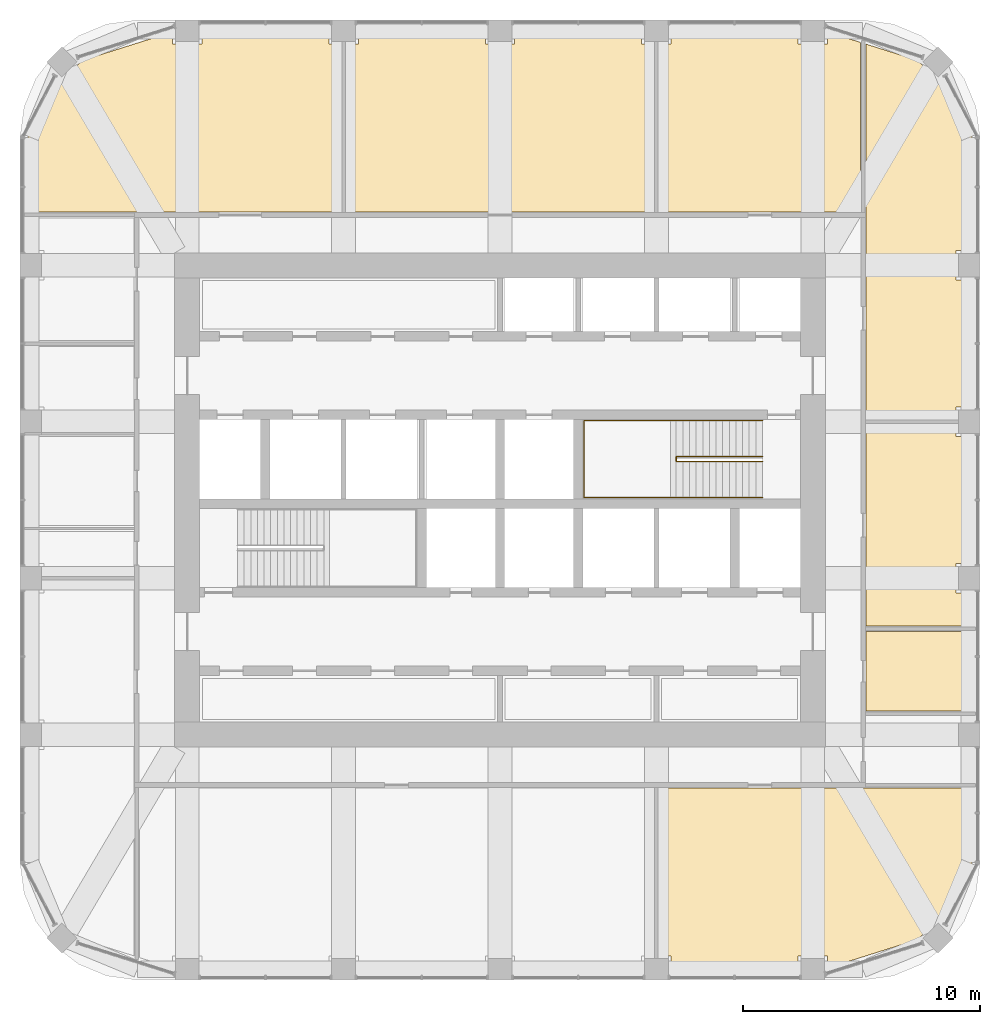
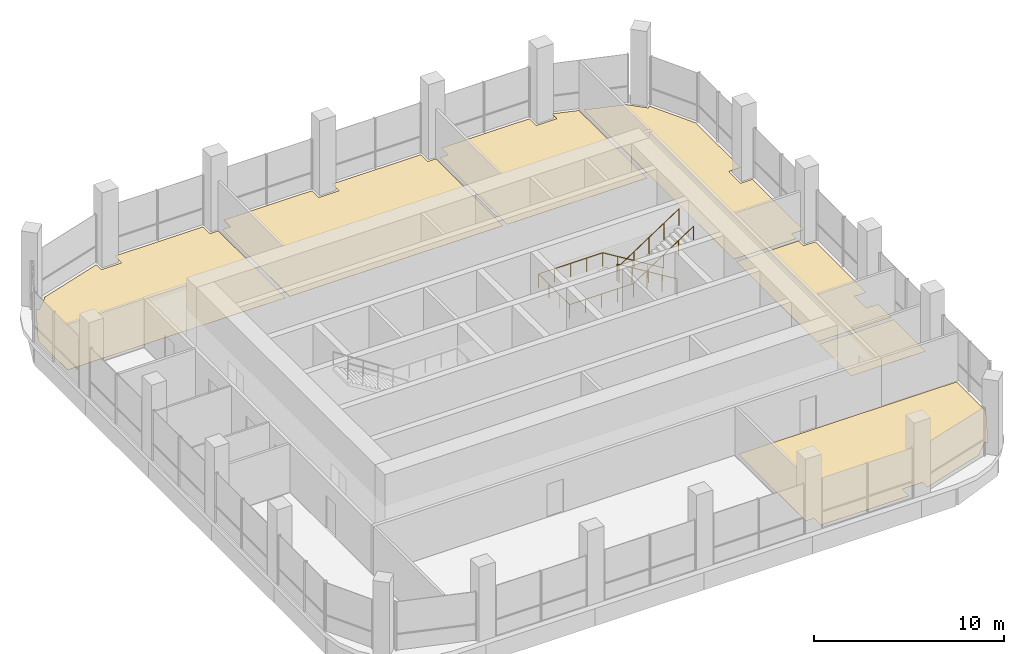
# One storey, part 13 of 13: 7 coverings, 2 railings.
"""IFC4 building model written with IfcOpenShell, lengths in metres."""

from ifc_helpers import new_model, si_unit, direction, frame, origin, place, context, subcontext, project, spatial, polyline, outline, extrude, material, layer, layer_set, type_object, element, save


model = new_model("IFC4")

# Units and contexts
model_context = context("Model", 3, precision=1e-05, world=origin(), true_north=direction((0.0, 1.0)))
body_context = subcontext(model_context, "Body", "Model", "MODEL_VIEW")
ifc_project = project(units=[si_unit("LENGTHUNIT", "METRE"), si_unit("AREAUNIT", "SQUARE_METRE"), si_unit("VOLUMEUNIT", "CUBIC_METRE"), si_unit("PLANEANGLEUNIT", "RADIAN"), si_unit("MASSUNIT", "GRAM", prefix="KILO")], contexts=[model_context])

# Site, building, storey
site_placement = place(None, origin())
site = spatial("IfcSite", under=ifc_project, at=site_placement, CompositionType="ELEMENT")
building_placement = place(site_placement, origin())
building = spatial("IfcBuilding", under=site, at=building_placement, Name="Cobogo Forest Laboratory Tower", CompositionType="ELEMENT")
storey_placement = place(building_placement, frame((0.0, 0.0, 288.0)))
storey = spatial("IfcBuildingStorey", under=building, at=storey_placement, Name="L66", CompositionType="ELEMENT", Elevation=288.0)

# Coverings
ifc_material_1 = material(Name="Carpet tile on raised access floor", Category="flooring")
ifc_layer_1 = layer(ifc_material_1, 0.008056640625)
ifc_layer_set_1 = layer_set([ifc_layer_1], Name="CT1 carpet tile floor 8")
covering_type_1 = type_object("IfcCoveringType", Name="CT1 carpet tile floor 8", PredefinedType="FLOORING", material=ifc_layer_set_1)
covering_1_placement = place(storey_placement, origin())
element("IfcCovering", 1, at=covering_1_placement, inside=storey, type_object=covering_type_1, Name="Carpet floor L66-02", PredefinedType="FLOORING", context=body_context, shape_type="SweptSolid", body=[
    extrude(outline(polyline([(44.10986328125, 4.583984375), (40.219970703125, 3.35546875), (40.219970703125, 3.8701171875), (38.97998046875, 3.8701171875), (38.97998046875, 3.14990234375), (33.6201171875, 3.14990234375), (33.6201171875, 3.8701171875), (33.1201171875, 3.8701171875), (33.1201171875, 10.955078125), (46.35009765625, 10.955078125), (46.35009765625, 7.84912109375), (45.010986328125, 5.294921875), (44.882080078125, 5.424072265625), (44.075927734375, 4.617919921875), (44.10986328125, 4.583984375)])), origin(), (0.0, 0.0, 1.0), 0.008056640625),
])
covering_2_placement = place(storey_placement, origin())
element("IfcCovering", 2, at=covering_2_placement, inside=storey, type_object=covering_type_1, Name="Carpet floor L66-05", PredefinedType="FLOORING", context=body_context, shape_type="SweptSolid", body=[
    extrude(outline(polyline([(41.844970703125, 26.280029296875), (45.6298828125, 26.280029296875), (45.6298828125, 25.780029296875), (46.35009765625, 25.780029296875), (46.35009765625, 20.419921875), (45.6298828125, 20.419921875), (45.6298828125, 19.179931640625), (46.35009765625, 19.179931640625), (46.35009765625, 17.794921875), (41.844970703125, 17.794921875), (41.844970703125, 26.280029296875)])), origin(), (0.0, 0.0, 1.0), 0.008056640625),
])
covering_3_placement = place(storey_placement, origin())
element("IfcCovering", 3, at=covering_3_placement, inside=storey, type_object=covering_type_1, Name="Carpet floor L66-07", PredefinedType="FLOORING", context=body_context, shape_type="SweptSolid", body=[
    extrude(outline(polyline([(6.449951171875, 35.2451171875), (6.449951171875, 38.350830078125), (7.788818359375, 40.905029296875), (7.91796875, 40.77587890625), (8.72412109375, 41.58203125), (8.68994140625, 41.615966796875), (12.580078125, 42.844482421875), (12.580078125, 42.330078125), (13.820068359375, 42.330078125), (13.820068359375, 43.050048828125), (19.179931640625, 43.050048828125), (19.179931640625, 42.330078125), (19.679931640625, 42.330078125), (19.679931640625, 35.2451171875), (6.449951171875, 35.2451171875)])), origin(), (0.0, 0.0, 1.0), 0.008056640625),
])
covering_4_placement = place(storey_placement, origin())
element("IfcCovering", 4, at=covering_4_placement, inside=storey, type_object=covering_type_1, Name="Carpet floor L66-09", PredefinedType="FLOORING", context=body_context, shape_type="SweptSolid", body=[
    extrude(outline(polyline([(33.1201171875, 35.2451171875), (33.1201171875, 42.330078125), (33.6201171875, 42.330078125), (33.6201171875, 43.050048828125), (38.97998046875, 43.050048828125), (38.97998046875, 42.330078125), (40.219970703125, 42.330078125), (40.219970703125, 42.844482421875), (41.60498046875, 42.406982421875), (41.60498046875, 35.2451171875), (33.1201171875, 35.2451171875)])), origin(), (0.0, 0.0, 1.0), 0.008056640625),
])

# Railings
ifc_material_2 = material(Name="Steel balustrade", Category="steel")
railing_type_1 = type_object("IfcRailingType", Name="GR stair guard 1100", PredefinedType="GUARDRAIL", material=ifc_material_2)
railing_1_placement = place(storey_placement, frame((37.47509765625, 24.929931640625, 0.17138671875)))
element("IfcRailing", 5, at=railing_1_placement, inside=storey, type_object=railing_type_1, Name="Stair guard ST2 L66", PredefinedType="GUARDRAIL", context=body_context, shape_type="SweptSolid", body=[
    extrude(outline(polyline([(0.022216796875, 0.00927734375), (0.00927734375, 0.022216796875), (-0.00927734375, 0.022216796875), (-0.022216796875, 0.00927734375), (-0.022216796875, -0.00927734375), (-0.00927734375, -0.022216796875), (0.00927734375, -0.022216796875), (0.022216796875, -0.00927734375), (0.022216796875, 0.00927734375)])), frame((0.0, 0.0, 1.077880859375), z_axis=(-0.852865859571, 0.0, 0.52213008492), x_axis=(0.0, -1.0, 0.0)), (0.0, 0.0, 1.0), 4.26806640625),
    extrude(outline(polyline([(0.022216796875, 0.00927734375), (0.00927734375, 0.022216796875), (-0.00927734375, 0.022216796875), (-0.022216796875, 0.00927734375), (-0.022216796875, -0.00927734375), (-0.00927734375, -0.022216796875), (0.00927734375, -0.022216796875), (0.022216796875, -0.00927734375), (0.022216796875, 0.00927734375)])), frame((-3.64013671875, 0.0, 3.306396484375), z_axis=(0.0, -1.0, 0.0), x_axis=(1.0, 0.0, 0.0)), (0.0, 0.0, 1.0), 0.2099609375),
    extrude(outline(polyline([(0.022216796875, 0.00927734375), (0.00927734375, 0.022216796875), (-0.00927734375, 0.022216796875), (-0.022216796875, 0.00927734375), (-0.022216796875, -0.00927734375), (-0.00927734375, -0.022216796875), (0.00927734375, -0.022216796875), (0.022216796875, -0.00927734375), (0.022216796875, 0.00927734375)])), frame((-3.64013671875, -0.2099609375, 3.306396484375), z_axis=(0.834856447115, 0.0, 0.55046772177), x_axis=(0.0, 1.0, 0.0)), (0.0, 0.0, 1.0), 4.360107421875),
    extrude(outline(polyline([(0.019287109375, 0.008056640625), (0.008056640625, 0.019287109375), (-0.008056640625, 0.019287109375), (-0.019287109375, 0.008056640625), (-0.019287109375, -0.008056640625), (-0.008056640625, -0.019287109375), (0.008056640625, -0.019287109375), (0.019287109375, -0.008056640625), (0.019287109375, 0.008056640625)])), origin(), (0.0, 0.0, 1.0), 1.077880859375),
    extrude(outline(polyline([(0.019287109375, 0.008056640625), (0.008056640625, 0.019287109375), (-0.008056640625, 0.019287109375), (-0.019287109375, 0.008056640625), (-0.019287109375, -0.008056640625), (-0.008056640625, -0.019287109375), (0.008056640625, -0.019287109375), (0.019287109375, -0.008056640625), (0.019287109375, 0.008056640625)])), frame((-0.91015625, 0.0, 0.55712890625)), (0.0, 0.0, 1.0), 1.077880859375),
    extrude(outline(polyline([(0.019287109375, 0.008056640625), (0.008056640625, 0.019287109375), (-0.008056640625, 0.019287109375), (-0.019287109375, 0.008056640625), (-0.019287109375, -0.008056640625), (-0.008056640625, -0.019287109375), (0.008056640625, -0.019287109375), (0.019287109375, -0.008056640625), (0.019287109375, 0.008056640625)])), frame((-1.820068359375, 0.0, 1.1142578125)), (0.0, 0.0, 1.0), 1.077880859375),
    extrude(outline(polyline([(0.019287109375, 0.008056640625), (0.008056640625, 0.019287109375), (-0.008056640625, 0.019287109375), (-0.019287109375, 0.008056640625), (-0.019287109375, -0.008056640625), (-0.008056640625, -0.019287109375), (0.008056640625, -0.019287109375), (0.019287109375, -0.008056640625), (0.019287109375, 0.008056640625)])), frame((-2.72998046875, 0.0, 1.67138671875)), (0.0, 0.0, 1.0), 1.077880859375),
    extrude(outline(polyline([(0.019287109375, 0.008056640625), (0.008056640625, 0.019287109375), (-0.008056640625, 0.019287109375), (-0.019287109375, 0.008056640625), (-0.019287109375, -0.008056640625), (-0.008056640625, -0.019287109375), (0.008056640625, -0.019287109375), (0.019287109375, -0.008056640625), (0.019287109375, 0.008056640625)])), frame((-3.64013671875, 0.0, 2.228515625)), (0.0, 0.0, 1.0), 1.077880859375),
    extrude(outline(polyline([(0.019287109375, 0.008056640625), (0.008056640625, 0.019287109375), (-0.008056640625, 0.019287109375), (-0.019287109375, 0.008056640625), (-0.019287109375, -0.008056640625), (-0.008056640625, -0.019287109375), (0.008056640625, -0.019287109375), (0.019287109375, -0.008056640625), (0.019287109375, 0.008056640625)])), frame((-3.64013671875, -0.2099609375, 2.228515625)), (0.0, 0.0, 1.0), 1.077880859375),
    extrude(outline(polyline([(0.019287109375, 0.008056640625), (0.008056640625, 0.019287109375), (-0.008056640625, 0.019287109375), (-0.019287109375, 0.008056640625), (-0.019287109375, -0.008056640625), (-0.008056640625, -0.019287109375), (0.008056640625, -0.019287109375), (0.019287109375, -0.008056640625), (0.019287109375, 0.008056640625)])), frame((-2.72998046875, -0.2099609375, 2.82861328125)), (0.0, 0.0, 1.0), 1.077880859375),
    extrude(outline(polyline([(0.019287109375, 0.008056640625), (0.008056640625, 0.019287109375), (-0.008056640625, 0.019287109375), (-0.019287109375, 0.008056640625), (-0.019287109375, -0.008056640625), (-0.008056640625, -0.019287109375), (0.008056640625, -0.019287109375), (0.019287109375, -0.008056640625), (0.019287109375, 0.008056640625)])), frame((-1.820068359375, -0.2099609375, 3.4287109375)), (0.0, 0.0, 1.0), 1.077880859375),
    extrude(outline(polyline([(0.019287109375, 0.008056640625), (0.008056640625, 0.019287109375), (-0.008056640625, 0.019287109375), (-0.019287109375, 0.008056640625), (-0.019287109375, -0.008056640625), (-0.008056640625, -0.019287109375), (0.008056640625, -0.019287109375), (0.019287109375, -0.008056640625), (0.019287109375, 0.008056640625)])), frame((-0.91015625, -0.2099609375, 4.028564453125)), (0.0, 0.0, 1.0), 1.077880859375),
    extrude(outline(polyline([(0.019287109375, 0.008056640625), (0.008056640625, 0.019287109375), (-0.008056640625, 0.019287109375), (-0.019287109375, 0.008056640625), (-0.019287109375, -0.008056640625), (-0.008056640625, -0.019287109375), (0.008056640625, -0.019287109375), (0.019287109375, -0.008056640625), (0.019287109375, 0.008056640625)])), frame((0.0, -0.2099609375, 4.628662109375)), (0.0, 0.0, 1.0), 1.077880859375),
])
ifc_material_3 = material(Name="Stainless steel handrail", Category="steel")
railing_type_2 = type_object("IfcRailingType", Name="HR handrail 900", PredefinedType="HANDRAIL", material=ifc_material_3)
railing_2_placement = place(storey_placement, frame((37.47509765625, 26.449951171875, 0.17138671875)))
element("IfcRailing", 6, at=railing_2_placement, inside=storey, type_object=railing_type_2, Name="Stair handrail ST2 L66", PredefinedType="HANDRAIL", context=body_context, shape_type="SweptSolid", body=[
    extrude(outline(polyline([(0.022216796875, 0.00927734375), (0.00927734375, 0.022216796875), (-0.00927734375, 0.022216796875), (-0.022216796875, 0.00927734375), (-0.022216796875, -0.00927734375), (-0.00927734375, -0.022216796875), (0.00927734375, -0.022216796875), (0.022216796875, -0.00927734375), (0.022216796875, 0.00927734375)])), frame((0.0, 0.0, 0.877685546875), z_axis=(-0.852865859571, 0.0, 0.52213008492), x_axis=(0.0, -1.0, 0.0)), (0.0, 0.0, 1.0), 4.26806640625),
    extrude(outline(polyline([(0.022216796875, 0.00927734375), (0.00927734375, 0.022216796875), (-0.00927734375, 0.022216796875), (-0.022216796875, 0.00927734375), (-0.022216796875, -0.00927734375), (-0.00927734375, -0.022216796875), (0.00927734375, -0.022216796875), (0.022216796875, -0.00927734375), (0.022216796875, 0.00927734375)])), frame((-3.64013671875, 0.0, 3.106201171875), z_axis=(-1.0, 0.0, 0.0), x_axis=(0.0, -1.0, 0.0)), (0.0, 0.0, 1.0), 3.885009765625),
    extrude(outline(polyline([(0.022216796875, 0.00927734375), (0.00927734375, 0.022216796875), (-0.00927734375, 0.022216796875), (-0.022216796875, 0.00927734375), (-0.022216796875, -0.00927734375), (-0.00927734375, -0.022216796875), (0.00927734375, -0.022216796875), (0.022216796875, -0.00927734375), (0.022216796875, 0.00927734375)])), frame((-7.525146484375, 0.0, 3.106201171875), z_axis=(0.0, -1.0, 0.0), x_axis=(1.0, 0.0, 0.0)), (0.0, 0.0, 1.0), 3.25),
    extrude(outline(polyline([(0.022216796875, 0.00927734375), (0.00927734375, 0.022216796875), (-0.00927734375, 0.022216796875), (-0.022216796875, 0.00927734375), (-0.022216796875, -0.00927734375), (-0.00927734375, -0.022216796875), (0.00927734375, -0.022216796875), (0.022216796875, -0.00927734375), (0.022216796875, 0.00927734375)])), frame((-7.525146484375, -3.25, 3.106201171875), z_axis=(1.0, 0.0, 0.0), x_axis=(0.0, 1.0, 0.0)), (0.0, 0.0, 1.0), 3.885009765625),
    extrude(outline(polyline([(0.022216796875, 0.00927734375), (0.00927734375, 0.022216796875), (-0.00927734375, 0.022216796875), (-0.022216796875, 0.00927734375), (-0.022216796875, -0.00927734375), (-0.00927734375, -0.022216796875), (0.00927734375, -0.022216796875), (0.022216796875, -0.00927734375), (0.022216796875, 0.00927734375)])), frame((-3.64013671875, -3.25, 3.106201171875), z_axis=(0.834856447115, 0.0, 0.55046772177), x_axis=(0.0, 1.0, 0.0)), (0.0, 0.0, 1.0), 4.360107421875),
    extrude(outline(polyline([(0.019287109375, 0.008056640625), (0.008056640625, 0.019287109375), (-0.008056640625, 0.019287109375), (-0.019287109375, 0.008056640625), (-0.019287109375, -0.008056640625), (-0.008056640625, -0.019287109375), (0.008056640625, -0.019287109375), (0.019287109375, -0.008056640625), (0.019287109375, 0.008056640625)])), origin(), (0.0, 0.0, 1.0), 0.877685546875),
    extrude(outline(polyline([(0.019287109375, 0.008056640625), (0.008056640625, 0.019287109375), (-0.008056640625, 0.019287109375), (-0.019287109375, 0.008056640625), (-0.019287109375, -0.008056640625), (-0.008056640625, -0.019287109375), (0.008056640625, -0.019287109375), (0.019287109375, -0.008056640625), (0.019287109375, 0.008056640625)])), frame((-0.91015625, 0.0, 0.55712890625)), (0.0, 0.0, 1.0), 0.877685546875),
    extrude(outline(polyline([(0.019287109375, 0.008056640625), (0.008056640625, 0.019287109375), (-0.008056640625, 0.019287109375), (-0.019287109375, 0.008056640625), (-0.019287109375, -0.008056640625), (-0.008056640625, -0.019287109375), (0.008056640625, -0.019287109375), (0.019287109375, -0.008056640625), (0.019287109375, 0.008056640625)])), frame((-1.820068359375, 0.0, 1.1142578125)), (0.0, 0.0, 1.0), 0.877685546875),
    extrude(outline(polyline([(0.019287109375, 0.008056640625), (0.008056640625, 0.019287109375), (-0.008056640625, 0.019287109375), (-0.019287109375, 0.008056640625), (-0.019287109375, -0.008056640625), (-0.008056640625, -0.019287109375), (0.008056640625, -0.019287109375), (0.019287109375, -0.008056640625), (0.019287109375, 0.008056640625)])), frame((-2.72998046875, 0.0, 1.67138671875)), (0.0, 0.0, 1.0), 0.877685546875),
    extrude(outline(polyline([(0.019287109375, 0.008056640625), (0.008056640625, 0.019287109375), (-0.008056640625, 0.019287109375), (-0.019287109375, 0.008056640625), (-0.019287109375, -0.008056640625), (-0.008056640625, -0.019287109375), (0.008056640625, -0.019287109375), (0.019287109375, -0.008056640625), (0.019287109375, 0.008056640625)])), frame((-3.64013671875, 0.0, 2.228515625)), (0.0, 0.0, 1.0), 0.877685546875),
    extrude(outline(polyline([(0.019287109375, 0.008056640625), (0.008056640625, 0.019287109375), (-0.008056640625, 0.019287109375), (-0.019287109375, 0.008056640625), (-0.019287109375, -0.008056640625), (-0.008056640625, -0.019287109375), (0.008056640625, -0.019287109375), (0.019287109375, -0.008056640625), (0.019287109375, 0.008056640625)])), frame((-4.611328125, 0.0, 2.228515625)), (0.0, 0.0, 1.0), 0.877685546875),
    extrude(outline(polyline([(0.019287109375, 0.008056640625), (0.008056640625, 0.019287109375), (-0.008056640625, 0.019287109375), (-0.019287109375, 0.008056640625), (-0.019287109375, -0.008056640625), (-0.008056640625, -0.019287109375), (0.008056640625, -0.019287109375), (0.019287109375, -0.008056640625), (0.019287109375, 0.008056640625)])), frame((-5.58251953125, 0.0, 2.228515625)), (0.0, 0.0, 1.0), 0.877685546875),
    extrude(outline(polyline([(0.019287109375, 0.008056640625), (0.008056640625, 0.019287109375), (-0.008056640625, 0.019287109375), (-0.019287109375, 0.008056640625), (-0.019287109375, -0.008056640625), (-0.008056640625, -0.019287109375), (0.008056640625, -0.019287109375), (0.019287109375, -0.008056640625), (0.019287109375, 0.008056640625)])), frame((-6.553955078125, 0.0, 2.228515625)), (0.0, 0.0, 1.0), 0.877685546875),
    extrude(outline(polyline([(0.019287109375, 0.008056640625), (0.008056640625, 0.019287109375), (-0.008056640625, 0.019287109375), (-0.019287109375, 0.008056640625), (-0.019287109375, -0.008056640625), (-0.008056640625, -0.019287109375), (0.008056640625, -0.019287109375), (0.019287109375, -0.008056640625), (0.019287109375, 0.008056640625)])), frame((-7.525146484375, 0.0, 2.228515625)), (0.0, 0.0, 1.0), 0.877685546875),
    extrude(outline(polyline([(0.019287109375, 0.008056640625), (0.008056640625, 0.019287109375), (-0.008056640625, 0.019287109375), (-0.019287109375, 0.008056640625), (-0.019287109375, -0.008056640625), (-0.008056640625, -0.019287109375), (0.008056640625, -0.019287109375), (0.019287109375, -0.008056640625), (0.019287109375, 0.008056640625)])), frame((-7.525146484375, -1.083251953125, 2.228515625)), (0.0, 0.0, 1.0), 0.877685546875),
    extrude(outline(polyline([(0.019287109375, 0.008056640625), (0.008056640625, 0.019287109375), (-0.008056640625, 0.019287109375), (-0.019287109375, 0.008056640625), (-0.019287109375, -0.008056640625), (-0.008056640625, -0.019287109375), (0.008056640625, -0.019287109375), (0.019287109375, -0.008056640625), (0.019287109375, 0.008056640625)])), frame((-7.525146484375, -2.166748046875, 2.228515625)), (0.0, 0.0, 1.0), 0.877685546875),
    extrude(outline(polyline([(0.019287109375, 0.008056640625), (0.008056640625, 0.019287109375), (-0.008056640625, 0.019287109375), (-0.019287109375, 0.008056640625), (-0.019287109375, -0.008056640625), (-0.008056640625, -0.019287109375), (0.008056640625, -0.019287109375), (0.019287109375, -0.008056640625), (0.019287109375, 0.008056640625)])), frame((-7.525146484375, -3.25, 2.228515625)), (0.0, 0.0, 1.0), 0.877685546875),
    extrude(outline(polyline([(0.019287109375, 0.008056640625), (0.008056640625, 0.019287109375), (-0.008056640625, 0.019287109375), (-0.019287109375, 0.008056640625), (-0.019287109375, -0.008056640625), (-0.008056640625, -0.019287109375), (0.008056640625, -0.019287109375), (0.019287109375, -0.008056640625), (0.019287109375, 0.008056640625)])), frame((-6.553955078125, -3.25, 2.228515625)), (0.0, 0.0, 1.0), 0.877685546875),
    extrude(outline(polyline([(0.019287109375, 0.008056640625), (0.008056640625, 0.019287109375), (-0.008056640625, 0.019287109375), (-0.019287109375, 0.008056640625), (-0.019287109375, -0.008056640625), (-0.008056640625, -0.019287109375), (0.008056640625, -0.019287109375), (0.019287109375, -0.008056640625), (0.019287109375, 0.008056640625)])), frame((-5.58251953125, -3.25, 2.228515625)), (0.0, 0.0, 1.0), 0.877685546875),
    extrude(outline(polyline([(0.019287109375, 0.008056640625), (0.008056640625, 0.019287109375), (-0.008056640625, 0.019287109375), (-0.019287109375, 0.008056640625), (-0.019287109375, -0.008056640625), (-0.008056640625, -0.019287109375), (0.008056640625, -0.019287109375), (0.019287109375, -0.008056640625), (0.019287109375, 0.008056640625)])), frame((-4.611328125, -3.25, 2.228515625)), (0.0, 0.0, 1.0), 0.877685546875),
    extrude(outline(polyline([(0.019287109375, 0.008056640625), (0.008056640625, 0.019287109375), (-0.008056640625, 0.019287109375), (-0.019287109375, 0.008056640625), (-0.019287109375, -0.008056640625), (-0.008056640625, -0.019287109375), (0.008056640625, -0.019287109375), (0.019287109375, -0.008056640625), (0.019287109375, 0.008056640625)])), frame((-3.64013671875, -3.25, 2.228515625)), (0.0, 0.0, 1.0), 0.877685546875),
    extrude(outline(polyline([(0.019287109375, 0.008056640625), (0.008056640625, 0.019287109375), (-0.008056640625, 0.019287109375), (-0.019287109375, 0.008056640625), (-0.019287109375, -0.008056640625), (-0.008056640625, -0.019287109375), (0.008056640625, -0.019287109375), (0.019287109375, -0.008056640625), (0.019287109375, 0.008056640625)])), frame((-2.72998046875, -3.25, 2.82861328125)), (0.0, 0.0, 1.0), 0.877685546875),
    extrude(outline(polyline([(0.019287109375, 0.008056640625), (0.008056640625, 0.019287109375), (-0.008056640625, 0.019287109375), (-0.019287109375, 0.008056640625), (-0.019287109375, -0.008056640625), (-0.008056640625, -0.019287109375), (0.008056640625, -0.019287109375), (0.019287109375, -0.008056640625), (0.019287109375, 0.008056640625)])), frame((-1.820068359375, -3.25, 3.4287109375)), (0.0, 0.0, 1.0), 0.877685546875),
    extrude(outline(polyline([(0.019287109375, 0.008056640625), (0.008056640625, 0.019287109375), (-0.008056640625, 0.019287109375), (-0.019287109375, 0.008056640625), (-0.019287109375, -0.008056640625), (-0.008056640625, -0.019287109375), (0.008056640625, -0.019287109375), (0.019287109375, -0.008056640625), (0.019287109375, 0.008056640625)])), frame((-0.91015625, -3.25, 4.028564453125)), (0.0, 0.0, 1.0), 0.877685546875),
    extrude(outline(polyline([(0.019287109375, 0.008056640625), (0.008056640625, 0.019287109375), (-0.008056640625, 0.019287109375), (-0.019287109375, 0.008056640625), (-0.019287109375, -0.008056640625), (-0.008056640625, -0.019287109375), (0.008056640625, -0.019287109375), (0.019287109375, -0.008056640625), (0.019287109375, 0.008056640625)])), frame((0.0, -3.25, 4.628662109375)), (0.0, 0.0, 1.0), 0.877685546875),
])

# Coverings
ifc_material_4 = material(Name="Static-dissipative vinyl flooring", Category="flooring")
ifc_layer_2 = layer(ifc_material_4, 0.0029296875)
ifc_layer_set_2 = layer_set([ifc_layer_2], Name="SD1 static-dissipative vinyl floor 3")
covering_type_2 = type_object("IfcCoveringType", Name="SD1 static-dissipative vinyl floor 3", PredefinedType="FLOORING", material=ifc_layer_set_2)
covering_5_placement = place(storey_placement, origin())
element("IfcCovering", 7, at=covering_5_placement, inside=storey, type_object=covering_type_2, Name="Static-dissipative floor L66-04", PredefinedType="FLOORING", context=body_context, shape_type="SweptSolid", body=[
    extrude(outline(polyline([(41.844970703125, 14.195068359375), (41.844970703125, 17.554931640625), (46.35009765625, 17.554931640625), (46.35009765625, 14.195068359375), (41.844970703125, 14.195068359375)])), origin(), (0.0, 0.0, 1.0), 0.0029296875),
])
ifc_material_5 = material(Name="Ceramic floor tile", Category="flooring")
ifc_layer_3 = layer(ifc_material_5, 0.010009765625)
ifc_layer_set_3 = layer_set([ifc_layer_3], Name="TF1 ceramic tile floor 10")
covering_type_3 = type_object("IfcCoveringType", Name="TF1 ceramic tile floor 10", PredefinedType="FLOORING", material=ifc_layer_set_3)
covering_6_placement = place(storey_placement, origin())
element("IfcCovering", 8, at=covering_6_placement, inside=storey, type_object=covering_type_3, Name="Tile floor L66-06", PredefinedType="FLOORING", context=body_context, shape_type="SweptSolid", body=[
    extrude(outline(polyline([(41.844970703125, 42.331298828125), (44.10986328125, 41.615966796875), (44.075927734375, 41.58203125), (44.882080078125, 40.77587890625), (45.010986328125, 40.905029296875), (46.35009765625, 38.350830078125), (46.35009765625, 33.6201171875), (45.6298828125, 33.6201171875), (45.6298828125, 32.3798828125), (46.35009765625, 32.3798828125), (46.35009765625, 27.02001953125), (45.6298828125, 27.02001953125), (45.6298828125, 26.52001953125), (41.844970703125, 26.52001953125), (41.844970703125, 42.331298828125)])), origin(), (0.0, 0.0, 1.0), 0.010009765625),
])
covering_7_placement = place(storey_placement, origin())
element("IfcCovering", 9, at=covering_7_placement, inside=storey, type_object=covering_type_3, Name="Tile floor L66-08", PredefinedType="FLOORING", context=body_context, shape_type="SweptSolid", body=[
    extrude(outline(polyline([(19.919921875, 35.2451171875), (19.919921875, 42.330078125), (20.419921875, 42.330078125), (20.419921875, 43.050048828125), (25.780029296875, 43.050048828125), (25.780029296875, 42.330078125), (27.02001953125, 42.330078125), (27.02001953125, 43.050048828125), (32.3798828125, 43.050048828125), (32.3798828125, 42.330078125), (32.8798828125, 42.330078125), (32.8798828125, 35.2451171875), (19.919921875, 35.2451171875)])), origin(), (0.0, 0.0, 1.0), 0.010009765625),
])

save(model, "model.ifc")
